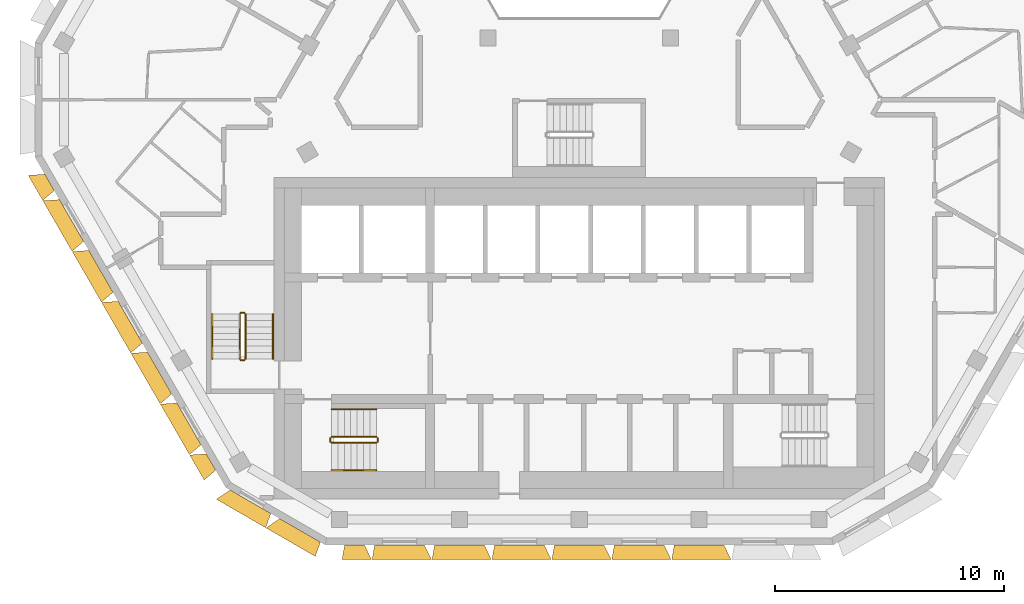
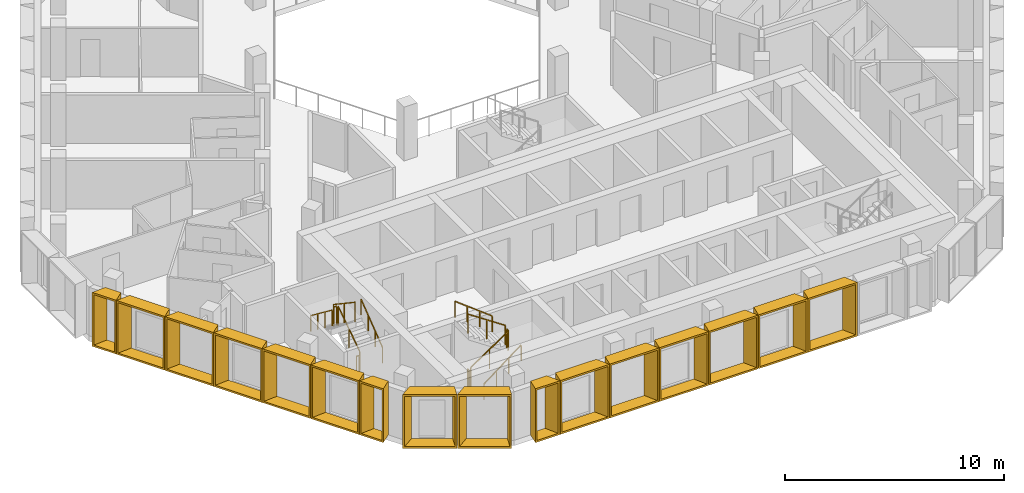
# One storey, part 11 of 15: 16 shading devices, 12 railings.
"""IFC4 building model written with IfcOpenShell, lengths in metres."""

from ifc_helpers import new_model, entity, si_unit, direction, frame, origin, origin_2d, place, context, subcontext, project, spatial, rectangle, extrude, source, transform, mapped, material, type_object, type_shapes, element, save


model = new_model("IFC4")

# Units and contexts
model_context = context("Model", 3, precision=1e-05, world=origin(), true_north=direction((0.0, 1.0)))
body_context = subcontext(model_context, "Body", "Model", "MODEL_VIEW")
ifc_project = project(units=[si_unit("LENGTHUNIT", "METRE"), si_unit("AREAUNIT", "SQUARE_METRE"), si_unit("VOLUMEUNIT", "CUBIC_METRE"), si_unit("PLANEANGLEUNIT", "RADIAN"), si_unit("MASSUNIT", "GRAM", prefix="KILO")], contexts=[model_context])

# Site, building, storey
site_placement = place(None, origin())
site = spatial("IfcSite", under=ifc_project, at=site_placement, CompositionType="ELEMENT")
building_placement = place(site_placement, origin())
building = spatial("IfcBuilding", under=site, at=building_placement, Name="Beryl Residences", CompositionType="ELEMENT")
storey_placement = place(building_placement, frame((0.0, 0.0, 205.800048828125)))
storey = spatial("IfcBuildingStorey", under=building, at=storey_placement, Name="L63", CompositionType="ELEMENT", Elevation=205.800048828125)

# Shading devices
ifc_material_1 = material(Name="Aluminium pale anodised", Category="aluminium")
shading_device_type_1 = type_object("IfcShadingDeviceType", Name="FR128-65B OUTER SKIN frame 650 mm deep, splay 26/10 deg, 1280 x 3000 mm cell", PredefinedType="USERDEFINED", material=ifc_material_1)
cartesian_point_1 = entity("IfcCartesianPoint", [-0.4140625, 0.0])
cartesian_point_2 = entity("IfcCartesianPoint", [-0.324951171875, 0.10009765625])
cartesian_point_3 = entity("IfcCartesianPoint", [-0.73095703125, 0.0])
cartesian_point_4 = entity("IfcCartesianPoint", [-0.64208984375, 0.10009765625])
shared_shape_1 = source(origin(), body_context, "Body", "SweptSolid", [
    entity("IfcExtrudedAreaSolidTapered", entity("IfcArbitraryProfileDefWithVoids", "AREA", None, entity("IfcPolyline", [cartesian_point_1, entity("IfcCartesianPoint", [0.4140625, 0.0]), entity("IfcCartesianPoint", [0.4140625, 3.0]), entity("IfcCartesianPoint", [-0.4140625, 3.0]), cartesian_point_1]), [entity("IfcPolyline", [cartesian_point_2, entity("IfcCartesianPoint", [0.332763671875, 0.10009765625]), entity("IfcCartesianPoint", [0.332763671875, 2.89990234375]), entity("IfcCartesianPoint", [-0.324951171875, 2.89990234375]), cartesian_point_2])]), entity("IfcAxis2Placement3D", entity("IfcCartesianPoint", [0.0, 0.0, 0.0]), entity("IfcDirection", [0.0, 1.0, 0.0]), entity("IfcDirection", [-1.0, 0.0, 0.0])), entity("IfcDirection", [0.0, 0.0, 1.0]), 0.64990234375, entity("IfcArbitraryProfileDefWithVoids", "AREA", None, entity("IfcPolyline", [cartesian_point_3, entity("IfcCartesianPoint", [0.528564453125, 0.0]), entity("IfcCartesianPoint", [0.528564453125, 3.0]), entity("IfcCartesianPoint", [-0.73095703125, 3.0]), cartesian_point_3]), [entity("IfcPolyline", [cartesian_point_4, entity("IfcCartesianPoint", [0.447265625, 0.10009765625]), entity("IfcCartesianPoint", [0.447265625, 2.89990234375]), entity("IfcCartesianPoint", [-0.64208984375, 2.89990234375]), cartesian_point_4])])),
])
type_shapes(shading_device_type_1, [shared_shape_1])
for number, where, z_axis, x_axis, name in (
    (1, (-23.091064453125, -5.2041015625, 0.0), (0.0, 0.0, 1.0), (-0.5, 0.866025403784, 0.0), "FR128-65B frame L63 SW 1"),
    (2, (-16.052978515625, -17.39501953125, 0.0), (0.0, 0.0, 1.0), (-0.5, 0.866025403784, 0.0), "FR128-65B frame L63 SW 7"),
):
    element("IfcShadingDevice", number, at=place(storey_placement, frame(where, z_axis=z_axis, x_axis=x_axis)), inside=storey, type_object=shading_device_type_1, Name=name, ObjectType="OUTER SKIN", PredefinedType="USERDEFINED", context=body_context, shape_type="MappedRepresentation", body=[
        mapped(shared_shape_1, transform((0.0, 0.0, 0.0))),
    ])
ifc_material_2 = material(Name="Aluminium pale anodised", Category="aluminium")
shading_device_type_2 = type_object("IfcShadingDeviceType", Name="FR131-65C OUTER SKIN frame 650 mm deep, splay 10/26 deg, 1310 x 3000 mm cell", PredefinedType="USERDEFINED", material=ifc_material_2)
cartesian_point_5 = entity("IfcCartesianPoint", [-0.428955078125, 0.0])
cartesian_point_6 = entity("IfcCartesianPoint", [-0.34765625, 0.10009765625])
cartesian_point_7 = entity("IfcCartesianPoint", [-0.543701171875, 0.0])
cartesian_point_8 = entity("IfcCartesianPoint", [-0.46240234375, 0.10009765625])
shared_shape_2 = source(origin(), body_context, "Body", "SweptSolid", [
    entity("IfcExtrudedAreaSolidTapered", entity("IfcArbitraryProfileDefWithVoids", "AREA", None, entity("IfcPolyline", [cartesian_point_5, entity("IfcCartesianPoint", [0.428955078125, 0.0]), entity("IfcCartesianPoint", [0.428955078125, 3.0]), entity("IfcCartesianPoint", [-0.428955078125, 3.0]), cartesian_point_5]), [entity("IfcPolyline", [cartesian_point_6, entity("IfcCartesianPoint", [0.340087890625, 0.10009765625]), entity("IfcCartesianPoint", [0.340087890625, 2.89990234375]), entity("IfcCartesianPoint", [-0.34765625, 2.89990234375]), cartesian_point_6])]), entity("IfcAxis2Placement3D", entity("IfcCartesianPoint", [0.0, 0.0, 0.0]), entity("IfcDirection", [0.0, 1.0, 0.0]), entity("IfcDirection", [-1.0, 0.0, 0.0])), entity("IfcDirection", [0.0, 0.0, 1.0]), 0.64990234375, entity("IfcArbitraryProfileDefWithVoids", "AREA", None, entity("IfcPolyline", [cartesian_point_7, entity("IfcCartesianPoint", [0.74609375, 0.0]), entity("IfcCartesianPoint", [0.74609375, 3.0]), entity("IfcCartesianPoint", [-0.543701171875, 3.0]), cartesian_point_7]), [entity("IfcPolyline", [cartesian_point_8, entity("IfcCartesianPoint", [0.656982421875, 0.10009765625]), entity("IfcCartesianPoint", [0.656982421875, 2.89990234375]), entity("IfcCartesianPoint", [-0.46240234375, 2.89990234375]), cartesian_point_8])])),
])
type_shapes(shading_device_type_2, [shared_shape_2])
shading_device_placement = place(storey_placement, frame((-9.797119140625, -21.0, 0.0), z_axis=(0.0, 0.0, 1.0), x_axis=(-1.0, 0.0, 0.0)))
element("IfcShadingDevice", 3, at=shading_device_placement, inside=storey, type_object=shading_device_type_2, Name="FR131-65C frame L63 S 1", ObjectType="OUTER SKIN", PredefinedType="USERDEFINED", context=body_context, shape_type="MappedRepresentation", body=[
    mapped(shared_shape_2, transform((0.0, 0.0, 0.0))),
])
ifc_material_3 = material(Name="Aluminium pale anodised", Category="aluminium")
shading_device_type_3 = type_object("IfcShadingDeviceType", Name="FR250-65B OUTER SKIN frame 650 mm deep, splay 26/10 deg, 2500 x 3000 mm cell", PredefinedType="USERDEFINED", material=ifc_material_3)
cartesian_point_9 = entity("IfcCartesianPoint", [-1.02392578125, 0.0])
cartesian_point_10 = entity("IfcCartesianPoint", [-0.93505859375, 0.10009765625])
cartesian_point_11 = entity("IfcCartesianPoint", [-1.341064453125, 0.0])
cartesian_point_12 = entity("IfcCartesianPoint", [-1.251953125, 0.10009765625])
shared_shape_3 = source(origin(), body_context, "Body", "SweptSolid", [
    entity("IfcExtrudedAreaSolidTapered", entity("IfcArbitraryProfileDefWithVoids", "AREA", None, entity("IfcPolyline", [cartesian_point_9, entity("IfcCartesianPoint", [1.02392578125, 0.0]), entity("IfcCartesianPoint", [1.02392578125, 3.0]), entity("IfcCartesianPoint", [-1.02392578125, 3.0]), cartesian_point_9]), [entity("IfcPolyline", [cartesian_point_10, entity("IfcCartesianPoint", [0.94287109375, 0.10009765625]), entity("IfcCartesianPoint", [0.94287109375, 2.89990234375]), entity("IfcCartesianPoint", [-0.93505859375, 2.89990234375]), cartesian_point_10])]), entity("IfcAxis2Placement3D", entity("IfcCartesianPoint", [0.0, 0.0, 0.0]), entity("IfcDirection", [0.0, 1.0, 0.0]), entity("IfcDirection", [-1.0, 0.0, 0.0])), entity("IfcDirection", [0.0, 0.0, 1.0]), 0.64990234375, entity("IfcArbitraryProfileDefWithVoids", "AREA", None, entity("IfcPolyline", [cartesian_point_11, entity("IfcCartesianPoint", [1.138671875, 0.0]), entity("IfcCartesianPoint", [1.138671875, 3.0]), entity("IfcCartesianPoint", [-1.341064453125, 3.0]), cartesian_point_11]), [entity("IfcPolyline", [cartesian_point_12, entity("IfcCartesianPoint", [1.057373046875, 0.10009765625]), entity("IfcCartesianPoint", [1.057373046875, 2.89990234375]), entity("IfcCartesianPoint", [-1.251953125, 2.89990234375]), cartesian_point_12])])),
])
type_shapes(shading_device_type_3, [shared_shape_3])
for number, where, z_axis, x_axis, name in (
    (4, (-14.33203125, -19.125, 0.0), (0.0, 0.0, 1.0), (-0.866025403784, 0.5, 0.0), "FR250-65B frame L63 SW-S 1"),
    (5, (-12.16796875, -20.375, 0.0), (0.0, 0.0, 1.0), (-0.866025403784, 0.5, 0.0), "FR250-65B frame L63 SW-S 2"),
):
    element("IfcShadingDevice", number, at=place(storey_placement, frame(where, z_axis=z_axis, x_axis=x_axis)), inside=storey, type_object=shading_device_type_3, Name=name, ObjectType="OUTER SKIN", PredefinedType="USERDEFINED", context=body_context, shape_type="MappedRepresentation", body=[
        mapped(shared_shape_3, transform((0.0, 0.0, 0.0))),
    ])
ifc_material_4 = material(Name="Aluminium pale anodised", Category="aluminium")
shading_device_type_4 = type_object("IfcShadingDeviceType", Name="FR256-65B OUTER SKIN frame 650 mm deep, splay 26/10 deg, 2560 x 3000 mm cell", PredefinedType="USERDEFINED", material=ifc_material_4)
cartesian_point_13 = entity("IfcCartesianPoint", [-1.053955078125, 0.0])
cartesian_point_14 = entity("IfcCartesianPoint", [-0.965087890625, 0.10009765625])
cartesian_point_15 = entity("IfcCartesianPoint", [-1.37109375, 0.0])
cartesian_point_16 = entity("IfcCartesianPoint", [-1.281982421875, 0.10009765625])
shared_shape_4 = source(origin(), body_context, "Body", "SweptSolid", [
    entity("IfcExtrudedAreaSolidTapered", entity("IfcArbitraryProfileDefWithVoids", "AREA", None, entity("IfcPolyline", [cartesian_point_13, entity("IfcCartesianPoint", [1.053955078125, 0.0]), entity("IfcCartesianPoint", [1.053955078125, 3.0]), entity("IfcCartesianPoint", [-1.053955078125, 3.0]), cartesian_point_13]), [entity("IfcPolyline", [cartesian_point_14, entity("IfcCartesianPoint", [0.97265625, 0.10009765625]), entity("IfcCartesianPoint", [0.97265625, 2.89990234375]), entity("IfcCartesianPoint", [-0.965087890625, 2.89990234375]), cartesian_point_14])]), entity("IfcAxis2Placement3D", entity("IfcCartesianPoint", [0.0, 0.0, 0.0]), entity("IfcDirection", [0.0, 1.0, 0.0]), entity("IfcDirection", [-1.0, 0.0, 0.0])), entity("IfcDirection", [0.0, 0.0, 1.0]), 0.64990234375, entity("IfcArbitraryProfileDefWithVoids", "AREA", None, entity("IfcPolyline", [cartesian_point_15, entity("IfcCartesianPoint", [1.168701171875, 0.0]), entity("IfcCartesianPoint", [1.168701171875, 3.0]), entity("IfcCartesianPoint", [-1.37109375, 3.0]), cartesian_point_15]), [entity("IfcPolyline", [cartesian_point_16, entity("IfcCartesianPoint", [1.08740234375, 0.10009765625]), entity("IfcCartesianPoint", [1.08740234375, 2.89990234375]), entity("IfcCartesianPoint", [-1.281982421875, 2.89990234375]), cartesian_point_16])])),
])
type_shapes(shading_device_type_4, [shared_shape_4])
for number, where, z_axis, x_axis, name in (
    (6, (-22.132080078125, -6.865966796875, 0.0), (0.0, 0.0, 1.0), (-0.5, 0.866025403784, 0.0), "FR256-65B frame L63 SW 2"),
    (7, (-20.85205078125, -9.0830078125, 0.0), (0.0, 0.0, 1.0), (-0.5, 0.866025403784, 0.0), "FR256-65B frame L63 SW 3"),
    (8, (-19.572021484375, -11.300048828125, 0.0), (0.0, 0.0, 1.0), (-0.5, 0.866025403784, 0.0), "FR256-65B frame L63 SW 4"),
    (9, (-18.29296875, -13.51611328125, 0.0), (0.0, 0.0, 1.0), (-0.5, 0.866025403784, 0.0), "FR256-65B frame L63 SW 5"),
    (10, (-17.012939453125, -15.73291015625, 0.0), (0.0, 0.0, 1.0), (-0.5, 0.866025403784, 0.0), "FR256-65B frame L63 SW 6"),
):
    element("IfcShadingDevice", number, at=place(storey_placement, frame(where, z_axis=z_axis, x_axis=x_axis)), inside=storey, type_object=shading_device_type_4, Name=name, ObjectType="OUTER SKIN", PredefinedType="USERDEFINED", context=body_context, shape_type="MappedRepresentation", body=[
        mapped(shared_shape_4, transform((0.0, 0.0, 0.0))),
    ])
ifc_material_5 = material(Name="Aluminium pale anodised", Category="aluminium")
shading_device_type_5 = type_object("IfcShadingDeviceType", Name="FR261-65C OUTER SKIN frame 650 mm deep, splay 10/26 deg, 2610 x 3000 mm cell", PredefinedType="USERDEFINED", material=ifc_material_5)
cartesian_point_17 = entity("IfcCartesianPoint", [-1.0791015625, 0.0])
cartesian_point_18 = entity("IfcCartesianPoint", [-0.997802734375, 0.10009765625])
cartesian_point_19 = entity("IfcCartesianPoint", [-1.193603515625, 0.0])
cartesian_point_20 = entity("IfcCartesianPoint", [-1.1123046875, 0.10009765625])
shared_shape_5 = source(origin(), body_context, "Body", "SweptSolid", [
    entity("IfcExtrudedAreaSolidTapered", entity("IfcArbitraryProfileDefWithVoids", "AREA", None, entity("IfcPolyline", [cartesian_point_17, entity("IfcCartesianPoint", [1.0791015625, 0.0]), entity("IfcCartesianPoint", [1.0791015625, 3.0]), entity("IfcCartesianPoint", [-1.0791015625, 3.0]), cartesian_point_17]), [entity("IfcPolyline", [cartesian_point_18, entity("IfcCartesianPoint", [0.989990234375, 0.10009765625]), entity("IfcCartesianPoint", [0.989990234375, 2.89990234375]), entity("IfcCartesianPoint", [-0.997802734375, 2.89990234375]), cartesian_point_18])]), entity("IfcAxis2Placement3D", entity("IfcCartesianPoint", [0.0, 0.0, 0.0]), entity("IfcDirection", [0.0, 1.0, 0.0]), entity("IfcDirection", [-1.0, 0.0, 0.0])), entity("IfcDirection", [0.0, 0.0, 1.0]), 0.64990234375, entity("IfcArbitraryProfileDefWithVoids", "AREA", None, entity("IfcPolyline", [cartesian_point_19, entity("IfcCartesianPoint", [1.39599609375, 0.0]), entity("IfcCartesianPoint", [1.39599609375, 3.0]), entity("IfcCartesianPoint", [-1.193603515625, 3.0]), cartesian_point_19]), [entity("IfcPolyline", [cartesian_point_20, entity("IfcCartesianPoint", [1.30712890625, 0.10009765625]), entity("IfcCartesianPoint", [1.30712890625, 2.89990234375]), entity("IfcCartesianPoint", [-1.1123046875, 2.89990234375]), cartesian_point_20])])),
])
type_shapes(shading_device_type_5, [shared_shape_5])
for number, where, z_axis, x_axis, name in (
    (11, (-7.8369140625, -21.0, 0.0), (0.0, 0.0, 1.0), (-1.0, 0.0, 0.0), "FR261-65C frame L63 S 2"),
    (12, (-5.22509765625, -21.0, 0.0), (0.0, 0.0, 1.0), (-1.0, 0.0, 0.0), "FR261-65C frame L63 S 3"),
    (13, (-2.612060546875, -21.0, 0.0), (0.0, 0.0, 1.0), (-1.0, 0.0, 0.0), "FR261-65C frame L63 S 4"),
    (14, (0.0, -21.0, 0.0), (0.0, 0.0, 1.0), (-1.0, 0.0, 0.0), "FR261-65C frame L63 S 5"),
    (15, (2.612060546875, -21.0, 0.0), (0.0, 0.0, 1.0), (-1.0, 0.0, 0.0), "FR261-65C frame L63 S 6"),
    (16, (5.22509765625, -21.0, 0.0), (0.0, 0.0, 1.0), (-1.0, 0.0, 0.0), "FR261-65C frame L63 S 7"),
):
    element("IfcShadingDevice", number, at=place(storey_placement, frame(where, z_axis=z_axis, x_axis=x_axis)), inside=storey, type_object=shading_device_type_5, Name=name, ObjectType="OUTER SKIN", PredefinedType="USERDEFINED", context=body_context, shape_type="MappedRepresentation", body=[
        mapped(shared_shape_5, transform((0.0, 0.0, 0.0))),
    ])

# Railings
ifc_material_6 = material(Name="Stainless steel balustrade with glass infill", Category="steel")
railing_type_1 = type_object("IfcRailingType", Name="SG1 stair guard 1100 mm", PredefinedType="GUARDRAIL", material=ifc_material_6)
railing_1_placement = place(storey_placement, frame((-10.800048828125, -16.550048828125, 0.1875)))
element("IfcRailing", 17, at=railing_1_placement, inside=storey, type_object=railing_type_1, Name="L63 ST-1 stair guard 1", PredefinedType="GUARDRAIL", context=body_context, shape_type="SweptSolid", body=[
    extrude(rectangle(XDim=0.048095703125, YDim=0.048095703125, at=origin_2d()), frame((0.0, 0.0, 1.076171875), z_axis=(0.830902050051, 0.0, 0.556418712142), x_axis=(0.0, 1.0, 0.0)), (0.0, 0.0, 1.0), 2.35888671875),
    extrude(rectangle(XDim=0.0419921875, YDim=0.0419921875, at=origin_2d()), origin(), (0.0, 0.0, 1.0), 1.052001953125),
    extrude(rectangle(XDim=0.0419921875, YDim=0.0419921875, at=origin_2d()), frame((0.97998046875, 0.0, 0.65625)), (0.0, 0.0, 1.0), 1.052001953125),
    extrude(rectangle(XDim=0.0419921875, YDim=0.0419921875, at=origin_2d()), frame((1.9599609375, 0.0, 1.3125)), (0.0, 0.0, 1.0), 1.052001953125),
])
railing_2_placement = place(storey_placement, frame((-8.7900390625, -16.5, 1.5)))
element("IfcRailing", 18, at=railing_2_placement, inside=storey, type_object=railing_type_1, Name="L63 ST-1 stair guard 2", PredefinedType="GUARDRAIL", context=body_context, shape_type="SweptSolid", body=[
    extrude(rectangle(XDim=0.048095703125, YDim=0.048095703125, at=origin_2d()), frame((0.0, 0.0, 1.076171875), z_axis=(0.0, 1.0, 0.0), x_axis=(-1.0, 0.0, 0.0)), (0.0, 0.0, 1.0), 0.14990234375),
    extrude(rectangle(XDim=0.0419921875, YDim=0.0419921875, at=origin_2d()), origin(), (0.0, 0.0, 1.0), 1.052001953125),
    extrude(rectangle(XDim=0.0419921875, YDim=0.0419921875, at=origin_2d()), frame((0.0, 0.14990234375, 0.0)), (0.0, 0.0, 1.0), 1.052001953125),
])
railing_3_placement = place(storey_placement, frame((-8.840087890625, -16.300048828125, 1.6875)))
element("IfcRailing", 19, at=railing_3_placement, inside=storey, type_object=railing_type_1, Name="L63 ST-1 stair guard 3", PredefinedType="GUARDRAIL", context=body_context, shape_type="SweptSolid", body=[
    extrude(rectangle(XDim=0.048095703125, YDim=0.048095703125, at=origin_2d()), frame((0.0, 0.0, 1.076171875), z_axis=(-0.830902050051, 0.0, 0.556418712142), x_axis=(0.0, -1.0, 0.0)), (0.0, 0.0, 1.0), 2.35888671875),
    extrude(rectangle(XDim=0.0419921875, YDim=0.0419921875, at=origin_2d()), origin(), (0.0, 0.0, 1.0), 1.052001953125),
    extrude(rectangle(XDim=0.0419921875, YDim=0.0419921875, at=origin_2d()), frame((-0.97998046875, 0.0, 0.65625)), (0.0, 0.0, 1.0), 1.052001953125),
    extrude(rectangle(XDim=0.0419921875, YDim=0.0419921875, at=origin_2d()), frame((-1.9599609375, 0.0, 1.3125)), (0.0, 0.0, 1.0), 1.052001953125),
])
railing_4_placement = place(storey_placement, frame((-10.85009765625, -16.5, 0.0)))
element("IfcRailing", 20, at=railing_4_placement, inside=storey, type_object=railing_type_1, Name="L63 ST-1 stair guard 4", PredefinedType="GUARDRAIL", context=body_context, shape_type="SweptSolid", body=[
    extrude(rectangle(XDim=0.048095703125, YDim=0.048095703125, at=origin_2d()), frame((0.0, 0.0, 1.076171875), z_axis=(0.0, 1.0, 0.0), x_axis=(-1.0, 0.0, 0.0)), (0.0, 0.0, 1.0), 0.14990234375),
    extrude(rectangle(XDim=0.0419921875, YDim=0.0419921875, at=origin_2d()), origin(), (0.0, 0.0, 1.0), 1.052001953125),
    extrude(rectangle(XDim=0.0419921875, YDim=0.0419921875, at=origin_2d()), frame((0.0, 0.14990234375, 0.0)), (0.0, 0.0, 1.0), 1.052001953125),
])
railing_5_placement = place(storey_placement, frame((-14.550048828125, -12.89990234375, 0.1875)))
element("IfcRailing", 21, at=railing_5_placement, inside=storey, type_object=railing_type_1, Name="L63 ST-2 stair guard 1", PredefinedType="GUARDRAIL", context=body_context, shape_type="SweptSolid", body=[
    extrude(rectangle(XDim=0.048095703125, YDim=0.048095703125, at=origin_2d()), frame((0.0, 0.0, 1.076171875), z_axis=(0.0, 0.830902050051, 0.556418712142), x_axis=(-1.0, 0.0, 0.0)), (0.0, 0.0, 1.0), 2.35888671875),
    extrude(rectangle(XDim=0.0419921875, YDim=0.0419921875, at=origin_2d()), origin(), (0.0, 0.0, 1.0), 1.052001953125),
    extrude(rectangle(XDim=0.0419921875, YDim=0.0419921875, at=origin_2d()), frame((0.0, 0.97998046875, 0.65625)), (0.0, 0.0, 1.0), 1.052001953125),
    extrude(rectangle(XDim=0.0419921875, YDim=0.0419921875, at=origin_2d()), frame((0.0, 1.9599609375, 1.3125)), (0.0, 0.0, 1.0), 1.052001953125),
])
railing_6_placement = place(storey_placement, frame((-14.60009765625, -10.889892578125, 1.5)))
element("IfcRailing", 22, at=railing_6_placement, inside=storey, type_object=railing_type_1, Name="L63 ST-2 stair guard 2", PredefinedType="GUARDRAIL", context=body_context, shape_type="SweptSolid", body=[
    extrude(rectangle(XDim=0.048095703125, YDim=0.048095703125, at=origin_2d()), frame((0.0, 0.0, 1.076171875), z_axis=(-1.0, 0.0, 0.0), x_axis=(0.0, -1.0, 0.0)), (0.0, 0.0, 1.0), 0.14990234375),
    extrude(rectangle(XDim=0.0419921875, YDim=0.0419921875, at=origin_2d()), origin(), (0.0, 0.0, 1.0), 1.052001953125),
    extrude(rectangle(XDim=0.0419921875, YDim=0.0419921875, at=origin_2d()), frame((-0.14990234375, 0.0, 0.0)), (0.0, 0.0, 1.0), 1.052001953125),
])
railing_7_placement = place(storey_placement, frame((-14.800048828125, -10.93994140625, 1.6875)))
element("IfcRailing", 23, at=railing_7_placement, inside=storey, type_object=railing_type_1, Name="L63 ST-2 stair guard 3", PredefinedType="GUARDRAIL", context=body_context, shape_type="SweptSolid", body=[
    extrude(rectangle(XDim=0.048095703125, YDim=0.048095703125, at=origin_2d()), frame((0.0, 0.0, 1.076171875), z_axis=(0.0, -0.830902050051, 0.556418712142), x_axis=(1.0, 0.0, 0.0)), (0.0, 0.0, 1.0), 2.35888671875),
    extrude(rectangle(XDim=0.0419921875, YDim=0.0419921875, at=origin_2d()), origin(), (0.0, 0.0, 1.0), 1.052001953125),
    extrude(rectangle(XDim=0.0419921875, YDim=0.0419921875, at=origin_2d()), frame((0.0, -0.97998046875, 0.65625)), (0.0, 0.0, 1.0), 1.052001953125),
    extrude(rectangle(XDim=0.0419921875, YDim=0.0419921875, at=origin_2d()), frame((0.0, -1.9599609375, 1.3125)), (0.0, 0.0, 1.0), 1.052001953125),
])
railing_8_placement = place(storey_placement, frame((-14.60009765625, -12.949951171875, 0.0)))
element("IfcRailing", 24, at=railing_8_placement, inside=storey, type_object=railing_type_1, Name="L63 ST-2 stair guard 4", PredefinedType="GUARDRAIL", context=body_context, shape_type="SweptSolid", body=[
    extrude(rectangle(XDim=0.048095703125, YDim=0.048095703125, at=origin_2d()), frame((0.0, 0.0, 1.076171875), z_axis=(-1.0, 0.0, 0.0), x_axis=(0.0, -1.0, 0.0)), (0.0, 0.0, 1.0), 0.14990234375),
    extrude(rectangle(XDim=0.0419921875, YDim=0.0419921875, at=origin_2d()), origin(), (0.0, 0.0, 1.0), 1.052001953125),
    extrude(rectangle(XDim=0.0419921875, YDim=0.0419921875, at=origin_2d()), frame((-0.14990234375, 0.0, 0.0)), (0.0, 0.0, 1.0), 1.052001953125),
])
ifc_material_7 = material(Name="Stainless steel handrail", Category="steel")
railing_type_2 = type_object("IfcRailingType", Name="SRL1 stair handrail 900 mm", PredefinedType="HANDRAIL", material=ifc_material_7)
railing_9_placement = place(storey_placement, frame((-10.800048828125, -17.75, 0.1875)))
element("IfcRailing", 25, at=railing_9_placement, inside=storey, type_object=railing_type_2, Name="L63 ST-1 stair handrail 1", PredefinedType="HANDRAIL", context=body_context, shape_type="SweptSolid", body=[
    extrude(rectangle(XDim=0.048095703125, YDim=0.048095703125, at=origin_2d()), frame((0.0, 0.0, 0.8759765625), z_axis=(0.794121922505, 0.0, 0.607758481798), x_axis=(0.0, 1.0, 0.0)), (0.0, 0.0, 1.0), 2.468017578125),
    extrude(rectangle(XDim=0.0419921875, YDim=0.0419921875, at=origin_2d()), origin(), (0.0, 0.0, 1.0), 0.851806640625),
    extrude(rectangle(XDim=0.0419921875, YDim=0.0419921875, at=origin_2d()), frame((0.6533203125, 0.0, 0.5)), (0.0, 0.0, 1.0), 0.851806640625),
    extrude(rectangle(XDim=0.0419921875, YDim=0.0419921875, at=origin_2d()), frame((1.306640625, 0.0, 1.0)), (0.0, 0.0, 1.0), 0.851806640625),
    extrude(rectangle(XDim=0.0419921875, YDim=0.0419921875, at=origin_2d()), frame((1.9599609375, 0.0, 1.5)), (0.0, 0.0, 1.0), 0.851806640625),
])
railing_10_placement = place(storey_placement, frame((-8.840087890625, -15.10009765625, 1.6875)))
element("IfcRailing", 26, at=railing_10_placement, inside=storey, type_object=railing_type_2, Name="L63 ST-1 stair handrail 2", PredefinedType="HANDRAIL", context=body_context, shape_type="SweptSolid", body=[
    extrude(rectangle(XDim=0.048095703125, YDim=0.048095703125, at=origin_2d()), frame((0.0, 0.0, 0.8759765625), z_axis=(-0.794121922505, 0.0, 0.607758481798), x_axis=(0.0, -1.0, 0.0)), (0.0, 0.0, 1.0), 2.468017578125),
    extrude(rectangle(XDim=0.0419921875, YDim=0.0419921875, at=origin_2d()), origin(), (0.0, 0.0, 1.0), 0.851806640625),
    extrude(rectangle(XDim=0.0419921875, YDim=0.0419921875, at=origin_2d()), frame((-0.6533203125, 0.0, 0.5)), (0.0, 0.0, 1.0), 0.851806640625),
    extrude(rectangle(XDim=0.0419921875, YDim=0.0419921875, at=origin_2d()), frame((-1.306640625, 0.0, 1.0)), (0.0, 0.0, 1.0), 0.851806640625),
    extrude(rectangle(XDim=0.0419921875, YDim=0.0419921875, at=origin_2d()), frame((-1.9599609375, 0.0, 1.5)), (0.0, 0.0, 1.0), 0.851806640625),
])
railing_11_placement = place(storey_placement, frame((-13.35009765625, -12.89990234375, 0.1875)))
element("IfcRailing", 27, at=railing_11_placement, inside=storey, type_object=railing_type_2, Name="L63 ST-2 stair handrail 1", PredefinedType="HANDRAIL", context=body_context, shape_type="SweptSolid", body=[
    extrude(rectangle(XDim=0.048095703125, YDim=0.048095703125, at=origin_2d()), frame((0.0, 0.0, 0.8759765625), z_axis=(0.0, 0.794121922505, 0.607758481798), x_axis=(-1.0, 0.0, 0.0)), (0.0, 0.0, 1.0), 2.468017578125),
    extrude(rectangle(XDim=0.0419921875, YDim=0.0419921875, at=origin_2d()), origin(), (0.0, 0.0, 1.0), 0.851806640625),
    extrude(rectangle(XDim=0.0419921875, YDim=0.0419921875, at=origin_2d()), frame((0.0, 0.6533203125, 0.5)), (0.0, 0.0, 1.0), 0.851806640625),
    extrude(rectangle(XDim=0.0419921875, YDim=0.0419921875, at=origin_2d()), frame((0.0, 1.306640625, 1.0)), (0.0, 0.0, 1.0), 0.851806640625),
    extrude(rectangle(XDim=0.0419921875, YDim=0.0419921875, at=origin_2d()), frame((0.0, 1.9599609375, 1.5)), (0.0, 0.0, 1.0), 0.851806640625),
])
railing_12_placement = place(storey_placement, frame((-16.0, -10.93994140625, 1.6875)))
element("IfcRailing", 28, at=railing_12_placement, inside=storey, type_object=railing_type_2, Name="L63 ST-2 stair handrail 2", PredefinedType="HANDRAIL", context=body_context, shape_type="SweptSolid", body=[
    extrude(rectangle(XDim=0.048095703125, YDim=0.048095703125, at=origin_2d()), frame((0.0, 0.0, 0.8759765625), z_axis=(0.0, -0.794121922505, 0.607758481798), x_axis=(1.0, 0.0, 0.0)), (0.0, 0.0, 1.0), 2.468017578125),
    extrude(rectangle(XDim=0.0419921875, YDim=0.0419921875, at=origin_2d()), origin(), (0.0, 0.0, 1.0), 0.851806640625),
    extrude(rectangle(XDim=0.0419921875, YDim=0.0419921875, at=origin_2d()), frame((0.0, -0.6533203125, 0.5)), (0.0, 0.0, 1.0), 0.851806640625),
    extrude(rectangle(XDim=0.0419921875, YDim=0.0419921875, at=origin_2d()), frame((0.0, -1.306640625, 1.0)), (0.0, 0.0, 1.0), 0.851806640625),
    extrude(rectangle(XDim=0.0419921875, YDim=0.0419921875, at=origin_2d()), frame((0.0, -1.9599609375, 1.5)), (0.0, 0.0, 1.0), 0.851806640625),
])

save(model, "model.ifc")
